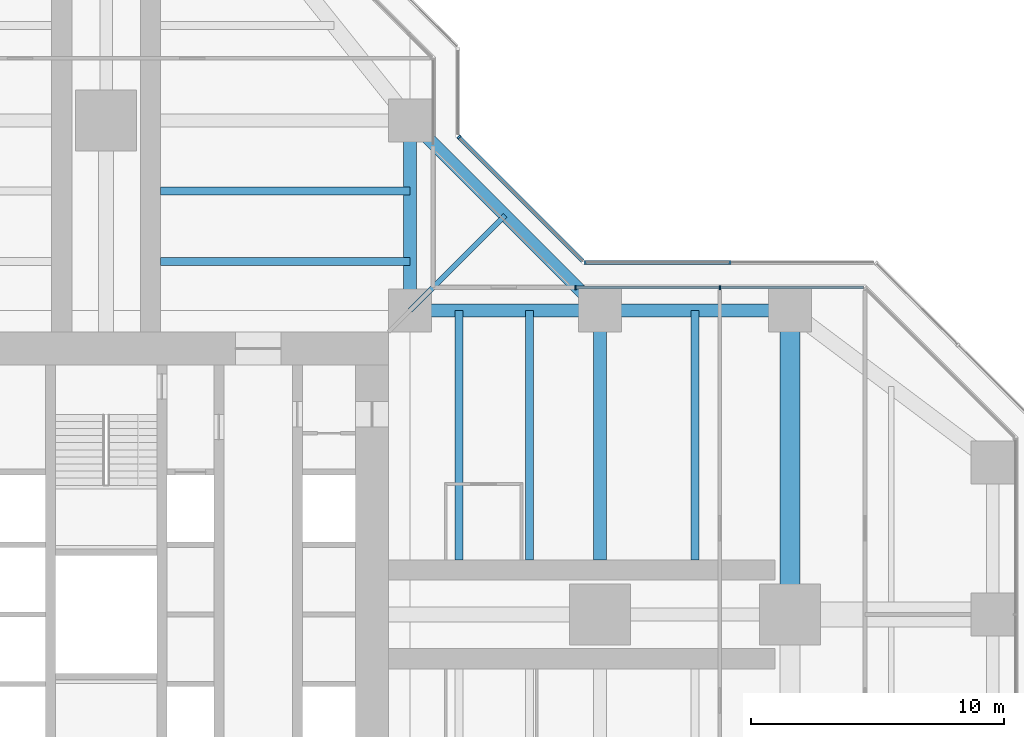
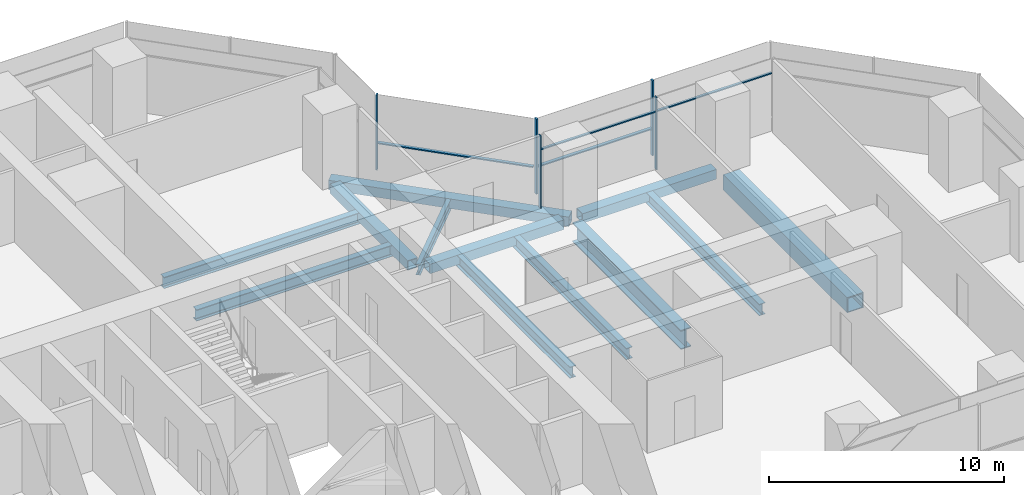
# One storey, part 9 of 20: 12 beams, 9 members, 3 elements without a shape of their own.
"""IFC4 building model written with IfcOpenShell, lengths in metres."""

from ifc_helpers import new_model, si_unit, direction, frame, origin, origin_2d, place, context, subcontext, project, spatial, rectangle, hollow_rectangle, i_section, extrude, material, material_profile, profile_set, type_object, element, aggregate, save


model = new_model("IFC4")

# Units and contexts
model_context = context("Model", 3, precision=1e-05, world=origin(), true_north=direction((0.0, 1.0)))
body_context = subcontext(model_context, "Body", "Model", "MODEL_VIEW")
ifc_project = project(units=[si_unit("LENGTHUNIT", "METRE"), si_unit("AREAUNIT", "SQUARE_METRE"), si_unit("VOLUMEUNIT", "CUBIC_METRE"), si_unit("PLANEANGLEUNIT", "RADIAN"), si_unit("MASSUNIT", "GRAM", prefix="KILO")], contexts=[model_context])

# Site, building, storey
site_placement = place(None, origin())
site = spatial("IfcSite", under=ifc_project, at=site_placement, CompositionType="ELEMENT")
building_placement = place(site_placement, origin())
building = spatial("IfcBuilding", under=site, at=building_placement, Name="Mizan Broadcast Tower", CompositionType="ELEMENT")
storey_placement = place(building_placement, frame((0.0, 0.0, 190.5)))
storey = spatial("IfcBuildingStorey", under=building, at=storey_placement, Name="L44", CompositionType="ELEMENT", Elevation=190.5)

# Beams
ifc_material_1 = material(Name="Steel S355", Category="steel")
ifc_material_profile_1 = material_profile(ifc_material_1, hollow_rectangle(XDim=0.5, YDim=0.5, WallThickness=0.030029296875, at=origin_2d()), Name="BOX 500x500x30")
ifc_profile_set_1 = profile_set([ifc_material_profile_1], Name="Steel S355")
beam_type_1 = type_object("IfcBeamType", Name="EDGE BEAM BOX 500x500x30", PredefinedType="SPANDREL", material=ifc_profile_set_1)
for number, where, z_axis, x_axis, name in (
    (1, (12.449951171875, 12.0, -0.3798828125), (1.0, 0.0, 0.0), (0.0, 1.0, 0.0), "Edge beam BOX 500x500x30 L44 east arm"),
    (2, (19.949951171875, 12.0, -0.3798828125), (1.0, 0.0, 0.0), (0.0, 1.0, 0.0), "Edge beam BOX 500x500x30 L44 east arm"),
    (3, (12.0, 12.449951171875, -0.3798828125), (0.0, 1.0, 0.0), (-1.0, 0.0, 0.0), "Edge beam BOX 500x500x30 L44 north arm"),
):
    element("IfcBeam", number, at=place(storey_placement, frame(where, z_axis=z_axis, x_axis=x_axis)), inside=storey, type_object=beam_type_1, Name=name, PredefinedType="SPANDREL", context=body_context, shape_type="SweptSolid", body=[
        extrude(hollow_rectangle(XDim=0.5, YDim=0.5, WallThickness=0.030029296875, at=origin_2d()), origin(), (0.0, 0.0, 1.0), 6.60009765625),
    ])
beam_1_placement = place(storey_placement, frame((19.5, 12.0, -0.3798828125), z_axis=(-0.707106781187, 0.707106781187, 0.0), x_axis=(-0.707106781187, -0.707106781187, 0.0)))
element("IfcBeam", 4, at=beam_1_placement, inside=storey, type_object=beam_type_1, Name="Winter garden edge beam L44 E", PredefinedType="SPANDREL", context=body_context, shape_type="SweptSolid", body=[
    extrude(hollow_rectangle(XDim=0.5, YDim=0.5, WallThickness=0.030029296875, at=origin_2d()), origin(), (0.0, 0.0, 1.0), 10.606689453125),
])
ifc_material_2 = material(Name="Steel S460", Category="steel")
ifc_material_profile_2 = material_profile(ifc_material_2, hollow_rectangle(XDim=0.800048828125, YDim=0.800048828125, WallThickness=0.050048828125, at=origin_2d()), Name="BOX 800x800x50")
ifc_profile_set_2 = profile_set([ifc_material_profile_2], Name="Steel S460")
beam_type_2 = type_object("IfcBeamType", Name="GIRDER BOX 800x800x50", PredefinedType="BEAM", material=ifc_profile_set_2)
beam_2_placement = place(storey_placement, frame((27.0, 11.280029296875, -0.530029296875), z_axis=(0.0, -1.0, 0.0), x_axis=(1.0, 0.0, 0.0)))
element("IfcBeam", 5, at=beam_2_placement, inside=storey, type_object=beam_type_2, Name="Girder BOX 800x800x50 L44 east arm", PredefinedType="BEAM", context=body_context, shape_type="SweptSolid", body=[
    extrude(hollow_rectangle(XDim=0.800048828125, YDim=0.800048828125, WallThickness=0.050048828125, at=origin_2d()), origin(), (0.0, 0.0, 1.0), 10.56005859375),
])
ifc_material_3 = material(Name="Steel S460", Category="steel")
ifc_material_profile_3 = material_profile(ifc_material_3, i_section(OverallWidth=0.5, OverallDepth=1.0, WebThickness=0.02490234375, FlangeThickness=0.050048828125, at=origin_2d()), Name="WPG 1000x500")
ifc_profile_set_3 = profile_set([ifc_material_profile_3], Name="Steel S460")
beam_type_3 = type_object("IfcBeamType", Name="GIRDER WPG 1000x500", PredefinedType="BEAM", material=ifc_profile_set_3)
beam_3_placement = place(storey_placement, frame((19.5, 11.408935546875, -0.6298828125), z_axis=(0.0, -1.0, 0.0), x_axis=(1.0, 0.0, 0.0)))
element("IfcBeam", 6, at=beam_3_placement, inside=storey, type_object=beam_type_3, Name="Girder WPG 1000x500 L44 east arm", PredefinedType="BEAM", context=body_context, shape_type="SweptSolid", body=[
    extrude(i_section(OverallWidth=0.5, OverallDepth=1.0, WebThickness=0.02490234375, FlangeThickness=0.050048828125, at=origin_2d()), origin(), (0.0, 0.0, 1.0), 9.259033203125),
])

# Curtain wall, members
ifc_material_4 = material(Name="Aluminium framed glazing", Category="aluminium")
curtain_wall_type_1 = type_object("IfcCurtainWallType", Name="INNER SKIN MID ZONE", PredefinedType="USERDEFINED", material=ifc_material_4)
curtain_wall_1_placement = place(storey_placement, origin())
curtain_wall_1 = element("IfcCurtainWall", 7, at=curtain_wall_1_placement, inside=storey, type_object=curtain_wall_type_1, Name="Inner skin mid zone L44 E side", ObjectType="INNER SKIN MID ZONE", PredefinedType="USERDEFINED")
ifc_material_5 = material(Name="Aluminium, pale anodised", Category="aluminium")
ifc_material_profile_4 = material_profile(ifc_material_5, rectangle(XDim=0.159912109375, YDim=0.06005859375, at=origin_2d()), Name="MULLION 160x60")
ifc_profile_set_4 = profile_set([ifc_material_profile_4], Name="Aluminium, pale anodised")
member_type_1 = type_object("IfcMemberType", Name="INNER SKIN MULLION 60x160", PredefinedType="MULLION", material=ifc_profile_set_4)
member_1_placement = place(storey_placement, frame((24.229248046875, 12.89990234375, 0.0), z_axis=(0.0, 0.0, 1.0), x_axis=(0.0, -1.0, 0.0)))
member_1 = element("IfcMember", 8, at=member_1_placement, type_object=member_type_1, Name="Inner skin mid zone L44 E side mullion 2", PredefinedType="MULLION", context=body_context, shape_type="SweptSolid", body=[
    extrude(rectangle(XDim=0.159912109375, YDim=0.06005859375, at=origin_2d()), origin(), (0.0, 0.0, 1.0), 3.77001953125),
])
member_2_placement = place(storey_placement, frame((18.530029296875, 12.89990234375, 0.0), z_axis=(0.0, 0.0, 1.0), x_axis=(0.0, -1.0, 0.0)))
member_2 = element("IfcMember", 9, at=member_2_placement, type_object=member_type_1, Name="Inner skin mid zone L44 E side mullion 3", PredefinedType="MULLION", context=body_context, shape_type="SweptSolid", body=[
    extrude(rectangle(XDim=0.159912109375, YDim=0.06005859375, at=origin_2d()), origin(), (0.0, 0.0, 1.0), 3.77001953125),
])
ifc_material_6 = material(Name="Aluminium, pale anodised", Category="aluminium")
ifc_material_profile_5 = material_profile(ifc_material_6, rectangle(XDim=0.1201171875, YDim=0.06005859375, at=origin_2d()), Name="TRANSOM 120x60")
ifc_profile_set_5 = profile_set([ifc_material_profile_5], Name="Aluminium, pale anodised")
member_type_2 = type_object("IfcMemberType", Name="INNER SKIN TRANSOM 60x120", PredefinedType="USERDEFINED", material=ifc_profile_set_5)
member_3_placement = place(storey_placement, frame((29.898681640625, 12.89990234375, 3.030029296875), z_axis=(-1.0, 0.0, 0.0), x_axis=(0.0, -1.0, 0.0)))
member_3 = element("IfcMember", 10, at=member_3_placement, type_object=member_type_2, Name="Inner skin mid zone L44 E side transom 1.1", ObjectType="TRANSOM", PredefinedType="USERDEFINED", context=body_context, shape_type="SweptSolid", body=[
    extrude(rectangle(XDim=0.1201171875, YDim=0.06005859375, at=origin_2d()), origin(), (0.0, 0.0, 1.0), 5.639404296875),
])
member_4_placement = place(storey_placement, frame((24.19921875, 12.89990234375, 3.030029296875), z_axis=(-1.0, 0.0, 0.0), x_axis=(0.0, -1.0, 0.0)))
member_4 = element("IfcMember", 11, at=member_4_placement, type_object=member_type_2, Name="Inner skin mid zone L44 E side transom 2.1", ObjectType="TRANSOM", PredefinedType="USERDEFINED", context=body_context, shape_type="SweptSolid", body=[
    extrude(rectangle(XDim=0.1201171875, YDim=0.06005859375, at=origin_2d()), origin(), (0.0, 0.0, 1.0), 5.63916015625),
])
aggregate(curtain_wall_1, [member_1, member_2, member_3, member_4])

ifc_material_7 = material(Name="Aluminium framed glazing", Category="aluminium")
curtain_wall_type_2 = type_object("IfcCurtainWallType", Name="OUTER SKIN", PredefinedType="USERDEFINED", material=ifc_material_7)
curtain_wall_2_placement = place(storey_placement, origin())
curtain_wall_2 = element("IfcCurtainWall", 12, at=curtain_wall_2_placement, inside=storey, type_object=curtain_wall_type_2, Name="Outer skin L44 E side", ObjectType="OUTER SKIN", PredefinedType="USERDEFINED")
ifc_material_8 = material(Name="Aluminium, pale anodised", Category="aluminium")
ifc_material_profile_6 = material_profile(ifc_material_8, rectangle(XDim=0.159912109375, YDim=0.080078125, at=origin_2d()), Name="MULLION 160x80")
ifc_profile_set_6 = profile_set([ifc_material_profile_6], Name="Aluminium, pale anodised")
member_type_3 = type_object("IfcMemberType", Name="OUTER SKIN MULLION 80x160", PredefinedType="MULLION", material=ifc_profile_set_6)
member_5_placement = place(storey_placement, frame((24.622802734375, 13.89990234375, 0.0), z_axis=(0.0, 0.0, 1.0), x_axis=(0.0, -1.0, 0.0)))
member_5 = element("IfcMember", 13, at=member_5_placement, type_object=member_type_3, Name="Outer skin L44 E side mullion 2", PredefinedType="MULLION", context=body_context, shape_type="SweptSolid", body=[
    extrude(rectangle(XDim=0.159912109375, YDim=0.080078125, at=origin_2d()), origin(), (0.0, 0.0, 1.0), 3.89990234375),
])
member_6_placement = place(storey_placement, frame((18.912841796875, 13.89990234375, 0.0), z_axis=(0.0, 0.0, 1.0), x_axis=(0.0, -1.0, 0.0)))
member_6 = element("IfcMember", 14, at=member_6_placement, type_object=member_type_3, Name="Outer skin L44 E side mullion 3", PredefinedType="MULLION", context=body_context, shape_type="SweptSolid", body=[
    extrude(rectangle(XDim=0.159912109375, YDim=0.080078125, at=origin_2d()), origin(), (0.0, 0.0, 1.0), 3.89990234375),
])

# Curtain wall, member
curtain_wall_3_placement = place(storey_placement, origin())
curtain_wall_3 = element("IfcCurtainWall", 15, at=curtain_wall_3_placement, inside=storey, type_object=curtain_wall_type_2, Name="Outer skin L44 E chamfer", ObjectType="OUTER SKIN", PredefinedType="USERDEFINED")
member_7_placement = place(storey_placement, frame((13.92822265625, 18.844482421875, 0.0), z_axis=(0.0, 0.0, 1.0), x_axis=(-0.707106781187, -0.707106781187, 0.0)))
member_7 = element("IfcMember", 16, at=member_7_placement, type_object=member_type_3, Name="Outer skin L44 E chamfer mullion 2", PredefinedType="MULLION", context=body_context, shape_type="SweptSolid", body=[
    extrude(rectangle(XDim=0.159912109375, YDim=0.080078125, at=origin_2d()), origin(), (0.0, 0.0, 1.0), 3.89990234375),
])

# Member
ifc_material_9 = material(Name="Aluminium, pale anodised", Category="aluminium")
ifc_material_profile_7 = material_profile(ifc_material_9, rectangle(XDim=0.159912109375, YDim=0.06005859375, at=origin_2d()), Name="TRANSOM 160x60")
ifc_profile_set_7 = profile_set([ifc_material_profile_7], Name="Aluminium, pale anodised")
member_type_4 = type_object("IfcMemberType", Name="OUTER SKIN TRANSOM 60x160", PredefinedType="USERDEFINED", material=ifc_profile_set_7)
member_8_placement = place(storey_placement, frame((24.582763671875, 13.89990234375, 1.39990234375), z_axis=(-1.0, 0.0, 0.0), x_axis=(0.0, -1.0, 0.0)))
member_8 = element("IfcMember", 17, at=member_8_placement, type_object=member_type_4, Name="Outer skin L44 E side transom 2.1", ObjectType="TRANSOM", PredefinedType="USERDEFINED", context=body_context, shape_type="SweptSolid", body=[
    extrude(rectangle(XDim=0.159912109375, YDim=0.06005859375, at=origin_2d()), origin(), (0.0, 0.0, 1.0), 5.6298828125),
])

aggregate(curtain_wall_2, [member_5, member_6, member_8])

member_9_placement = place(storey_placement, frame((18.816162109375, 13.95654296875, 1.39990234375), z_axis=(-0.707106781187, 0.707106781187, 0.0), x_axis=(-0.707106781187, -0.707106781187, 0.0)))
member_9 = element("IfcMember", 18, at=member_9_placement, type_object=member_type_4, Name="Outer skin L44 E chamfer transom 1.1", ObjectType="TRANSOM", PredefinedType="USERDEFINED", context=body_context, shape_type="SweptSolid", body=[
    extrude(rectangle(XDim=0.159912109375, YDim=0.06005859375, at=origin_2d()), origin(), (0.0, 0.0, 1.0), 6.87255859375),
])

aggregate(curtain_wall_3, [member_7, member_9])

# Beams
ifc_material_10 = material(Name="Steel S355", Category="steel")
ifc_material_profile_8 = material_profile(ifc_material_10, i_section(OverallWidth=0.300048828125, OverallDepth=0.590087890625, WebThickness=0.012939453125, FlangeThickness=0.02490234375, FilletRadius=0.027099609375, at=origin_2d()), Name="HEA 600")
ifc_profile_set_8 = profile_set([ifc_material_profile_8], Name="Steel S355")
beam_type_4 = type_object("IfcBeamType", Name="SECONDARY BEAM HEA 600", PredefinedType="JOIST", material=ifc_profile_set_8)
for number, where, z_axis, x_axis, name in (
    (19, (13.933349609375, 12.0, -0.425048828125), (0.0, -1.0, 0.0), (1.0, 0.0, 0.0), "Secondary beam HEA 600 L44 east arm"),
    (20, (16.716552734375, 12.0, -0.425048828125), (0.0, -1.0, 0.0), (1.0, 0.0, 0.0), "Secondary beam HEA 600 L44 east arm"),
    (21, (23.25, 12.0, -0.425048828125), (0.0, -1.0, 0.0), (1.0, 0.0, 0.0), "Secondary beam HEA 600 L44 east arm"),
    (22, (12.0, 13.933349609375, -0.425048828125), (-1.0, 0.0, 0.0), (0.0, -1.0, 0.0), "Secondary beam HEA 600 L44 north arm"),
    (23, (12.0, 16.716552734375, -0.425048828125), (-1.0, 0.0, 0.0), (0.0, -1.0, 0.0), "Secondary beam HEA 600 L44 north arm"),
):
    element("IfcBeam", number, at=place(storey_placement, frame(where, z_axis=z_axis, x_axis=x_axis)), inside=storey, type_object=beam_type_4, Name=name, PredefinedType="JOIST", context=body_context, shape_type="SweptSolid", body=[
        extrude(i_section(OverallWidth=0.300048828125, OverallDepth=0.590087890625, WebThickness=0.012939453125, FlangeThickness=0.02490234375, FilletRadius=0.027099609375, at=origin_2d()), origin(), (0.0, 0.0, 1.0), 9.85009765625),
    ])
ifc_material_11 = material(Name="Steel S355", Category="steel")
ifc_material_profile_9 = material_profile(ifc_material_11, i_section(OverallWidth=0.2099609375, OverallDepth=0.550048828125, WebThickness=0.010986328125, FlangeThickness=0.01708984375, FilletRadius=0.02392578125, at=origin_2d()), Name="IPE 550")
ifc_profile_set_9 = profile_set([ifc_material_profile_9], Name="Steel S355")
beam_type_5 = type_object("IfcBeamType", Name="SECONDARY BEAM IPE 550", PredefinedType="JOIST", material=ifc_profile_set_9)
beam_4_placement = place(storey_placement, frame((12.0, 12.0, -0.405029296875), z_axis=(0.707106781187, 0.707106781187, 0.0), x_axis=(-0.707106781187, 0.707106781187, 0.0)))
element("IfcBeam", 24, at=beam_4_placement, inside=storey, type_object=beam_type_5, Name="Winter garden beam L44 E", PredefinedType="JOIST", context=body_context, shape_type="SweptSolid", body=[
    extrude(i_section(OverallWidth=0.2099609375, OverallDepth=0.550048828125, WebThickness=0.010986328125, FlangeThickness=0.01708984375, FilletRadius=0.02392578125, at=origin_2d()), origin(), (0.0, 0.0, 1.0), 5.30322265625),
])

save(model, "model.ifc")
